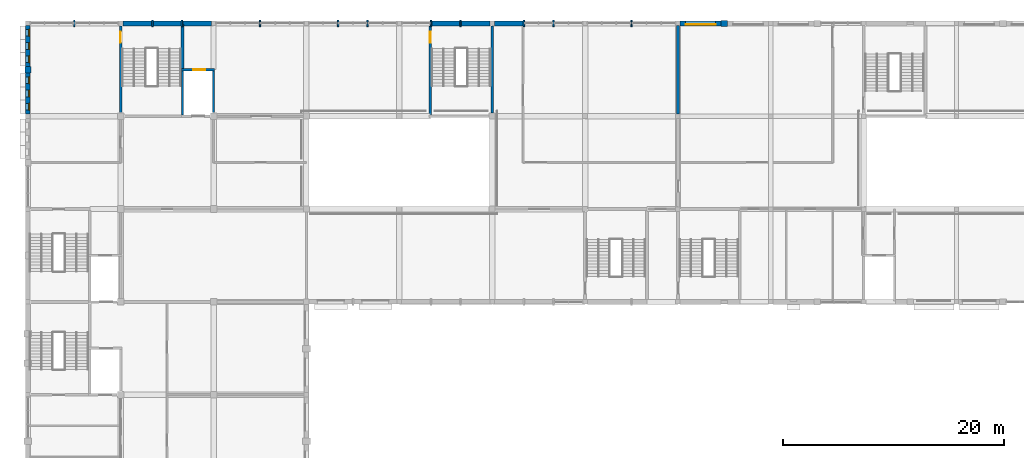
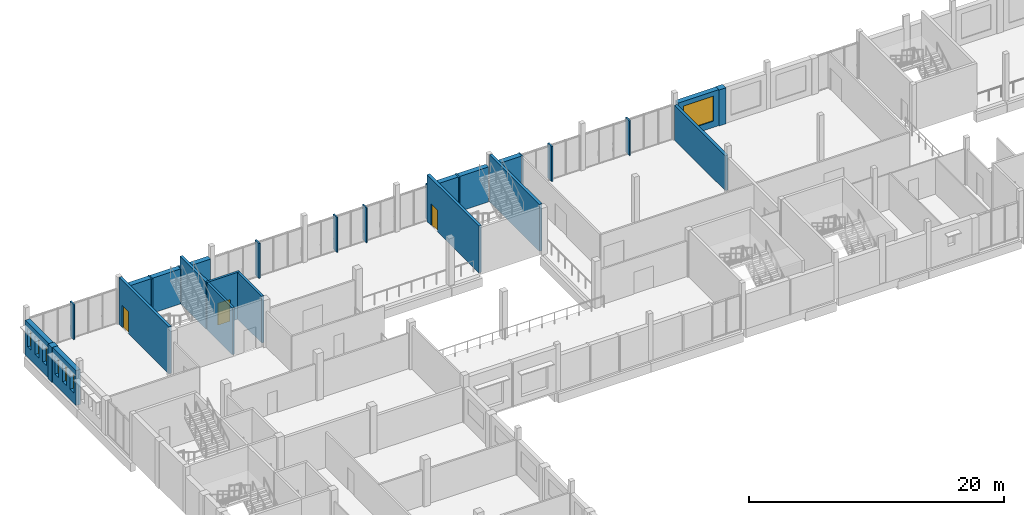
# One storey, part 104 of 116: 30 walls, 7 windows, 3 doors, 10 openings.
"""IFC4 building model written with IfcOpenShell, lengths in metres."""

from ifc_helpers import new_model, si_unit, direction, frame, frame_2d, origin, place, context, subcontext, project, spatial, rectangle, extrude, material, layer, layer_set, type_object, element, fill, save


model = new_model("IFC4")

# Units and contexts
model_context = context("Model", 3, precision=1e-05, world=origin(), true_north=direction((0.0, 1.0)))
body_context = subcontext(model_context, "Body", "Model", "MODEL_VIEW")
ifc_project = project(units=[si_unit("LENGTHUNIT", "METRE"), si_unit("AREAUNIT", "SQUARE_METRE"), si_unit("VOLUMEUNIT", "CUBIC_METRE"), si_unit("PLANEANGLEUNIT", "RADIAN"), si_unit("MASSUNIT", "GRAM", prefix="KILO")], contexts=[model_context])

# Site, building, storey
site_placement = place(None, origin())
site = spatial("IfcSite", under=ifc_project, at=site_placement, CompositionType="ELEMENT")
building_placement = place(site_placement, origin())
building = spatial("IfcBuilding", under=site, at=building_placement, Name="Fescue Hill Polytechnic", CompositionType="ELEMENT")
storey_placement = place(building_placement, frame((0.0, 0.0, 13.5)))
storey = spatial("IfcBuildingStorey", under=building, at=storey_placement, Name="L03", CompositionType="ELEMENT", Elevation=13.5)

# Walls
ifc_material_1 = material(Name="Clay brick masonry", Category="masonry")
ifc_layer_1 = layer(ifc_material_1, 0.550048828125)
ifc_layer_set_1 = layer_set([ifc_layer_1], Name="Clay brick masonry")
wall_type_1 = type_object("IfcWallType", Name="Brick pier 600x550", PredefinedType="SOLIDWALL", material=ifc_layer_set_1)
wall_1_placement = place(storey_placement, frame((0.0, 130.5, 0.0), z_axis=(0.0, 0.0, 1.0), x_axis=(0.0, -1.0, 0.0)))
element("IfcWall", 1, at=wall_1_placement, inside=storey, type_object=wall_type_1, Name="PR-L03-V5-18", PredefinedType="SOLIDWALL", context=body_context, shape_type="SweptSolid", body=[
    extrude(rectangle(XDim=0.60009765625, YDim=0.550048828125, at=frame_2d((0.300048828125, 0.0))), origin(), (0.0, 0.0, 1.0), 3.35009765625),
])
wall_2_placement = place(storey_placement, frame((63.300048828125, 134.39990234375, 0.0), z_axis=(0.0, 0.0, 1.0), x_axis=(-1.0, 0.0, 0.0)))
element("IfcWall", 2, at=wall_2_placement, inside=storey, type_object=wall_type_1, Name="PR-L03-V4b-17", PredefinedType="SOLIDWALL", context=body_context, shape_type="SweptSolid", body=[
    extrude(rectangle(XDim=0.60009765625, YDim=0.550048828125, at=frame_2d((0.300048828125, 0.0))), origin(), (0.0, 0.0, 1.0), 3.449951171875),
])

# Wall, opening, door
ifc_material_2 = material(Name="Concrete 40 MPa", Category="concrete")
ifc_layer_2 = layer(ifc_material_2, 0.25)
ifc_layer_set_2 = layer_set([ifc_layer_2], Name="Concrete 40 MPa")
wall_type_2 = type_object("IfcWallType", Name="Core wall 250", PredefinedType="SHEAR", material=ifc_layer_set_2)
wall_3_placement = place(storey_placement, frame((36.39990234375, 126.125, 0.0), z_axis=(0.0, 0.0, 1.0), x_axis=(0.0, 1.0, 0.0)))
wall_3 = element("IfcWall", 3, at=wall_3_placement, inside=storey, type_object=wall_type_2, Name="CW-L03-ST-V5-2-31", PredefinedType="SHEAR", context=body_context, shape_type="SweptSolid", body=[
    extrude(rectangle(XDim=8.14990234375, YDim=0.25, at=frame_2d((4.074951171875, 0.0))), origin(), (0.0, 0.0, 1.0), 4.5),
])
opening_1_placement = place(wall_3_placement, frame((6.52490234375, 0.0, 0.0)))
opening_1 = element("IfcOpeningElement", 4, at=opening_1_placement, cuts=wall_3, Name="Opening D3042", PredefinedType="OPENING", context=body_context, shape_type="SweptSolid", body=[
    extrude(rectangle(XDim=1.0, YDim=2.10009765625, at=frame_2d((0.5, 1.050048828125))), frame((0.0, 0.135009765625, 0.0), z_axis=(0.0, -1.0, 0.0), x_axis=(1.0, 0.0, 0.0)), (0.0, 0.0, 1.0), 0.27001953125),
])
ifc_material_3 = material(Name="Steel fire door", Category="steel")
door_type_1 = type_object("IfcDoorType", Name="Door single swing 1000x2100 stair fire rated", OperationType="NOTDEFINED", PredefinedType="DOOR", material=ifc_material_3)
door_1_placement = place(opening_1_placement, origin())
door_1 = element("IfcDoor", 5, at=door_1_placement, inside=storey, type_object=door_type_1, Name="L03 ST-V5-2 stair door", OperationType="SINGLE_SWING_RIGHT", OverallHeight=2.10009765625, OverallWidth=1.0, PredefinedType="DOOR", context=body_context, shape_type="SweptSolid", body=[
    extrude(rectangle(XDim=1.0, YDim=2.10009765625, at=frame_2d((0.5, 1.050048828125))), frame((0.0, 0.02490234375, 0.0), z_axis=(0.0, -1.0, 0.0), x_axis=(1.0, 0.0, 0.0)), (0.0, 0.0, 1.0), 0.050048828125),
])
fill(opening_1, door_1)

# Wall
wall_4_placement = place(storey_placement, frame((42.0, 126.300048828125, 0.0), z_axis=(0.0, 0.0, 1.0), x_axis=(0.0, 1.0, 0.0)))
element("IfcWall", 6, at=wall_4_placement, inside=storey, type_object=wall_type_2, Name="CW-L03-ST-V5-2-41", PredefinedType="SHEAR", context=body_context, shape_type="SweptSolid", body=[
    extrude(rectangle(XDim=7.875, YDim=0.25, at=frame_2d((3.9375, 0.0))), origin(), (0.0, 0.0, 1.0), 4.5),
])

# Wall, opening, door
wall_5_placement = place(storey_placement, frame((8.39990234375, 126.324951171875, 0.0), z_axis=(0.0, 0.0, 1.0), x_axis=(0.0, 1.0, 0.0)))
wall_5 = element("IfcWall", 7, at=wall_5_placement, inside=storey, type_object=wall_type_2, Name="CW-L03-ST-V5-3-31", PredefinedType="SHEAR", context=body_context, shape_type="SweptSolid", body=[
    extrude(rectangle(XDim=7.85009765625, YDim=0.25, at=frame_2d((3.925048828125, 0.0))), origin(), (0.0, 0.0, 1.0), 4.5),
])
opening_2_placement = place(wall_5_placement, frame((6.324951171875, 0.0, 0.0)))
opening_2 = element("IfcOpeningElement", 8, at=opening_2_placement, cuts=wall_5, Name="Opening D3043", PredefinedType="OPENING", context=body_context, shape_type="SweptSolid", body=[
    extrude(rectangle(XDim=1.0, YDim=2.10009765625, at=frame_2d((0.5, 1.050048828125))), frame((0.0, 0.135009765625, 0.0), z_axis=(0.0, -1.0, 0.0), x_axis=(1.0, 0.0, 0.0)), (0.0, 0.0, 1.0), 0.27001953125),
])
door_2_placement = place(opening_2_placement, origin())
door_2 = element("IfcDoor", 9, at=door_2_placement, inside=storey, type_object=door_type_1, Name="L03 ST-V5-3 stair door", OperationType="SINGLE_SWING_LEFT", OverallHeight=2.10009765625, OverallWidth=1.0, PredefinedType="DOOR", context=body_context, shape_type="SweptSolid", body=[
    extrude(rectangle(XDim=1.0, YDim=2.10009765625, at=frame_2d((0.5, 1.050048828125))), frame((0.0, 0.02490234375, 0.0), z_axis=(0.0, -1.0, 0.0), x_axis=(1.0, 0.0, 0.0)), (0.0, 0.0, 1.0), 0.050048828125),
])
fill(opening_2, door_2)

# Walls
wall_6_placement = place(storey_placement, frame((14.0, 130.2099609375, 0.0), z_axis=(0.0, 0.0, 1.0), x_axis=(0.0, 1.0, 0.0)))
element("IfcWall", 10, at=wall_6_placement, inside=storey, type_object=wall_type_2, Name="CW-L03-ST-V5-3-41", PredefinedType="SHEAR", context=body_context, shape_type="SweptSolid", body=[
    extrude(rectangle(XDim=4.06494140625, YDim=0.25, at=frame_2d((2.032470703125, 0.0))), origin(), (0.0, 0.0, 1.0), 4.5),
])
ifc_layer_3 = layer(ifc_material_2, 0.449951171875)
ifc_layer_set_3 = layer_set([ifc_layer_3], Name="Concrete 40 MPa")
wall_type_3 = type_object("IfcWallType", Name="Exterior wall board-marked concrete 450", PredefinedType="SOLIDWALL", material=ifc_layer_set_3)
for number, where, z_axis, x_axis, name in (
    (11, (44.806640625, 134.39990234375, 0.0), (0.0, 0.0, 1.0), (-1.0, 0.0, 0.0), "EW-L03-V5-11"),
    (12, (16.60009765625, 134.39990234375, 0.0), (0.0, 0.0, 1.0), (-1.0, 0.0, 0.0), "EW-L03-V5-15"),
):
    element("IfcWall", number, at=place(storey_placement, frame(where, z_axis=z_axis, x_axis=x_axis)), inside=storey, type_object=wall_type_3, Name=name, PredefinedType="SOLIDWALL", context=body_context, shape_type="SweptSolid", body=[
        extrude(rectangle(XDim=2.606689453125, YDim=0.449951171875, at=frame_2d((1.30322265625, 0.0))), origin(), (0.0, 0.0, 1.0), 3.35009765625),
    ])

# Wall, opening, window
wall_7_placement = place(storey_placement, frame((62.699951171875, 134.39990234375, 0.0), z_axis=(0.0, 0.0, 1.0), x_axis=(-1.0, 0.0, 0.0)))
wall_7 = element("IfcWall", 13, at=wall_7_placement, inside=storey, type_object=wall_type_3, Name="EW-L03-V4b-34", PredefinedType="SOLIDWALL", context=body_context, shape_type="SweptSolid", body=[
    extrude(rectangle(XDim=3.699951171875, YDim=0.449951171875, at=frame_2d((1.85009765625, 0.0))), origin(), (0.0, 0.0, 1.0), 3.449951171875),
])
opening_3_placement = place(wall_7_placement, frame((0.5, 0.0, 0.60009765625)))
opening_3 = element("IfcOpeningElement", 14, at=opening_3_placement, cuts=wall_7, Name="Opening W16R", PredefinedType="OPENING", context=body_context, shape_type="SweptSolid", body=[
    extrude(rectangle(XDim=2.699951171875, YDim=2.39990234375, at=frame_2d((1.35009765625, 1.199951171875))), frame((0.0, 0.23486328125, 0.0), z_axis=(0.0, -1.0, 0.0), x_axis=(1.0, 0.0, 0.0)), (0.0, 0.0, 1.0), 0.469970703125),
])
ifc_material_4 = material(Name="Powder-coated aluminium and glass", Category="aluminium")
window_type_1 = type_object("IfcWindowType", Name="Window studio north-light 2700x2400", PartitioningType="TRIPLE_PANEL_VERTICAL", PredefinedType="WINDOW", material=ifc_material_4)
window_1_placement = place(opening_3_placement, origin())
window_1 = element("IfcWindow", 15, at=window_1_placement, inside=storey, type_object=window_type_1, Name="WN-L03-V4b-33", OverallHeight=2.39990234375, OverallWidth=2.699951171875, PartitioningType="SINGLE_PANEL", PredefinedType="WINDOW", context=body_context, shape_type="SweptSolid", body=[
    extrude(rectangle(XDim=2.699951171875, YDim=2.39990234375, at=frame_2d((1.35009765625, 1.199951171875))), frame((0.0, 0.135009765625, 0.0), z_axis=(0.0, -1.0, 0.0), x_axis=(1.0, 0.0, 0.0)), (0.0, 0.0, 1.0), 0.06005859375),
])
fill(opening_3, window_1)

# Walls
ifc_layer_4 = layer(ifc_material_2, 0.449951171875)
ifc_layer_set_4 = layer_set([ifc_layer_4], Name="Concrete 40 MPa")
wall_type_4 = type_object("IfcWallType", Name="Exterior wall board-marked concrete 450 load-bearing", PredefinedType="SOLIDWALL", material=ifc_layer_set_4)
wall_8_placement = place(storey_placement, frame((41.800048828125, 134.39990234375, 0.0), z_axis=(0.0, 0.0, 1.0), x_axis=(-1.0, 0.0, 0.0)))
element("IfcWall", 16, at=wall_8_placement, inside=storey, type_object=wall_type_4, Name="EW-L03-V5-12", PredefinedType="SOLIDWALL", context=body_context, shape_type="SweptSolid", body=[
    extrude(rectangle(XDim=2.606689453125, YDim=0.449951171875, at=frame_2d((1.30322265625, 0.0))), origin(), (0.0, 0.0, 1.0), 3.35009765625),
])
for number, where, z_axis, x_axis, name in (
    (17, (39.0732421875, 134.39990234375, 0.0), (0.0, 0.0, 1.0), (-1.0, 0.0, 0.0), "EW-L03-V5-13"),
    (18, (13.873291015625, 134.39990234375, 0.0), (0.0, 0.0, 1.0), (-1.0, 0.0, 0.0), "EW-L03-V5-16"),
):
    element("IfcWall", number, at=place(storey_placement, frame(where, z_axis=z_axis, x_axis=x_axis)), inside=storey, type_object=wall_type_4, Name=name, PredefinedType="SOLIDWALL", context=body_context, shape_type="SweptSolid", body=[
        extrude(rectangle(XDim=2.546630859375, YDim=0.449951171875, at=frame_2d((1.2734375, 0.0))), origin(), (0.0, 0.0, 1.0), 3.35009765625),
    ])
wall_9_placement = place(storey_placement, frame((11.206787109375, 134.39990234375, 0.0), z_axis=(0.0, 0.0, 1.0), x_axis=(-1.0, 0.0, 0.0)))
element("IfcWall", 19, at=wall_9_placement, inside=storey, type_object=wall_type_4, Name="EW-L03-V5-17", PredefinedType="SOLIDWALL", context=body_context, shape_type="SweptSolid", body=[
    extrude(rectangle(XDim=2.606689453125, YDim=0.449951171875, at=frame_2d((1.30322265625, 0.0))), origin(), (0.0, 0.0, 1.0), 3.35009765625),
])

# Wall, openings, windows
ifc_layer_5 = layer(ifc_material_1, 0.419921875)
ifc_layer_set_5 = layer_set([ifc_layer_5], Name="Clay brick masonry")
wall_type_5 = type_object("IfcWallType", Name="Exterior wall buff-red brick cavity 420", PredefinedType="SOLIDWALL", material=ifc_layer_set_5)
wall_10_placement = place(storey_placement, frame((0.0, 134.199951171875, 0.0), z_axis=(0.0, 0.0, 1.0), x_axis=(0.0, -1.0, 0.0)))
wall_10 = element("IfcWall", 20, at=wall_10_placement, inside=storey, type_object=wall_type_5, Name="EW-L03-V5-19", PredefinedType="SOLIDWALL", context=body_context, shape_type="SweptSolid", body=[
    extrude(rectangle(XDim=3.699951171875, YDim=0.419921875, at=frame_2d((1.85009765625, 0.0))), origin(), (0.0, 0.0, 1.0), 3.35009765625),
])
opening_4_placement = place(wall_10_placement, frame((0.35009765625, 0.0, 1.0)))
opening_4 = element("IfcOpeningElement", 21, at=opening_4_placement, cuts=wall_10, Name="Opening W6R", PredefinedType="OPENING", context=body_context, shape_type="SweptSolid", body=[
    extrude(rectangle(XDim=0.60009765625, YDim=1.800048828125, at=frame_2d((0.300048828125, 0.89990234375))), frame((0.0, 0.219970703125, 0.0), z_axis=(0.0, -1.0, 0.0), x_axis=(1.0, 0.0, 0.0)), (0.0, 0.0, 1.0), 0.43994140625),
])
opening_5_placement = place(wall_10_placement, frame((1.550048828125, 0.0, 1.0)))
opening_5 = element("IfcOpeningElement", 22, at=opening_5_placement, cuts=wall_10, Name="Opening W6R", PredefinedType="OPENING", context=body_context, shape_type="SweptSolid", body=[
    extrude(rectangle(XDim=0.60009765625, YDim=1.800048828125, at=frame_2d((0.300048828125, 0.89990234375))), frame((0.0, 0.219970703125, 0.0), z_axis=(0.0, -1.0, 0.0), x_axis=(1.0, 0.0, 0.0)), (0.0, 0.0, 1.0), 0.43994140625),
])
opening_6_placement = place(wall_10_placement, frame((2.75, 0.0, 1.0)))
opening_6 = element("IfcOpeningElement", 23, at=opening_6_placement, cuts=wall_10, Name="Opening W6R", PredefinedType="OPENING", context=body_context, shape_type="SweptSolid", body=[
    extrude(rectangle(XDim=0.60009765625, YDim=1.800048828125, at=frame_2d((0.300048828125, 0.89990234375))), frame((0.0, 0.219970703125, 0.0), z_axis=(0.0, -1.0, 0.0), x_axis=(1.0, 0.0, 0.0)), (0.0, 0.0, 1.0), 0.43994140625),
])
window_type_2 = type_object("IfcWindowType", Name="Window slot 600x1800", PartitioningType="SINGLE_PANEL", PredefinedType="WINDOW", material=ifc_material_4)
window_2_placement = place(opening_4_placement, origin())
window_2 = element("IfcWindow", 24, at=window_2_placement, inside=storey, type_object=window_type_2, Name="WN-L03-V5-3", OverallHeight=1.800048828125, OverallWidth=0.60009765625, PartitioningType="SINGLE_PANEL", PredefinedType="WINDOW", context=body_context, shape_type="SweptSolid", body=[
    extrude(rectangle(XDim=0.60009765625, YDim=1.800048828125, at=frame_2d((0.300048828125, 0.89990234375))), frame((0.0, 0.150146484375, 0.0), z_axis=(0.0, -1.0, 0.0), x_axis=(1.0, 0.0, 0.0)), (0.0, 0.0, 1.0), 0.06005859375),
])
fill(opening_4, window_2)
window_3_placement = place(opening_5_placement, origin())
window_3 = element("IfcWindow", 25, at=window_3_placement, inside=storey, type_object=window_type_2, Name="WN-L03-V5-4", OverallHeight=1.800048828125, OverallWidth=0.60009765625, PartitioningType="SINGLE_PANEL", PredefinedType="WINDOW", context=body_context, shape_type="SweptSolid", body=[
    extrude(rectangle(XDim=0.60009765625, YDim=1.800048828125, at=frame_2d((0.300048828125, 0.89990234375))), frame((0.0, 0.150146484375, 0.0), z_axis=(0.0, -1.0, 0.0), x_axis=(1.0, 0.0, 0.0)), (0.0, 0.0, 1.0), 0.06005859375),
])
fill(opening_5, window_3)
window_4_placement = place(opening_6_placement, origin())
window_4 = element("IfcWindow", 26, at=window_4_placement, inside=storey, type_object=window_type_2, Name="WN-L03-V5-5", OverallHeight=1.800048828125, OverallWidth=0.60009765625, PartitioningType="SINGLE_PANEL", PredefinedType="WINDOW", context=body_context, shape_type="SweptSolid", body=[
    extrude(rectangle(XDim=0.60009765625, YDim=1.800048828125, at=frame_2d((0.300048828125, 0.89990234375))), frame((0.0, 0.150146484375, 0.0), z_axis=(0.0, -1.0, 0.0), x_axis=(1.0, 0.0, 0.0)), (0.0, 0.0, 1.0), 0.06005859375),
])
fill(opening_6, window_4)

wall_11_placement = place(storey_placement, frame((0.0, 129.89990234375, 0.0), z_axis=(0.0, 0.0, 1.0), x_axis=(0.0, -1.0, 0.0)))
wall_11 = element("IfcWall", 27, at=wall_11_placement, inside=storey, type_object=wall_type_5, Name="EW-L03-V5-20", PredefinedType="SOLIDWALL", context=body_context, shape_type="SweptSolid", body=[
    extrude(rectangle(XDim=3.699951171875, YDim=0.419921875, at=frame_2d((1.85009765625, 0.0))), origin(), (0.0, 0.0, 1.0), 3.35009765625),
])
opening_7_placement = place(wall_11_placement, frame((0.35009765625, 0.0, 1.0)))
opening_7 = element("IfcOpeningElement", 28, at=opening_7_placement, cuts=wall_11, Name="Opening W6R", PredefinedType="OPENING", context=body_context, shape_type="SweptSolid", body=[
    extrude(rectangle(XDim=0.60009765625, YDim=1.800048828125, at=frame_2d((0.300048828125, 0.89990234375))), frame((0.0, 0.219970703125, 0.0), z_axis=(0.0, -1.0, 0.0), x_axis=(1.0, 0.0, 0.0)), (0.0, 0.0, 1.0), 0.43994140625),
])
opening_8_placement = place(wall_11_placement, frame((1.550048828125, 0.0, 1.0)))
opening_8 = element("IfcOpeningElement", 29, at=opening_8_placement, cuts=wall_11, Name="Opening W6R", PredefinedType="OPENING", context=body_context, shape_type="SweptSolid", body=[
    extrude(rectangle(XDim=0.60009765625, YDim=1.800048828125, at=frame_2d((0.300048828125, 0.89990234375))), frame((0.0, 0.219970703125, 0.0), z_axis=(0.0, -1.0, 0.0), x_axis=(1.0, 0.0, 0.0)), (0.0, 0.0, 1.0), 0.43994140625),
])
opening_9_placement = place(wall_11_placement, frame((2.75, 0.0, 1.0)))
opening_9 = element("IfcOpeningElement", 30, at=opening_9_placement, cuts=wall_11, Name="Opening W6R", PredefinedType="OPENING", context=body_context, shape_type="SweptSolid", body=[
    extrude(rectangle(XDim=0.60009765625, YDim=1.800048828125, at=frame_2d((0.300048828125, 0.89990234375))), frame((0.0, 0.219970703125, 0.0), z_axis=(0.0, -1.0, 0.0), x_axis=(1.0, 0.0, 0.0)), (0.0, 0.0, 1.0), 0.43994140625),
])
window_5_placement = place(opening_7_placement, origin())
window_5 = element("IfcWindow", 31, at=window_5_placement, inside=storey, type_object=window_type_2, Name="WN-L03-V5-6", OverallHeight=1.800048828125, OverallWidth=0.60009765625, PartitioningType="SINGLE_PANEL", PredefinedType="WINDOW", context=body_context, shape_type="SweptSolid", body=[
    extrude(rectangle(XDim=0.60009765625, YDim=1.800048828125, at=frame_2d((0.300048828125, 0.89990234375))), frame((0.0, 0.150146484375, 0.0), z_axis=(0.0, -1.0, 0.0), x_axis=(1.0, 0.0, 0.0)), (0.0, 0.0, 1.0), 0.06005859375),
])
fill(opening_7, window_5)
window_6_placement = place(opening_8_placement, origin())
window_6 = element("IfcWindow", 32, at=window_6_placement, inside=storey, type_object=window_type_2, Name="WN-L03-V5-7", OverallHeight=1.800048828125, OverallWidth=0.60009765625, PartitioningType="SINGLE_PANEL", PredefinedType="WINDOW", context=body_context, shape_type="SweptSolid", body=[
    extrude(rectangle(XDim=0.60009765625, YDim=1.800048828125, at=frame_2d((0.300048828125, 0.89990234375))), frame((0.0, 0.150146484375, 0.0), z_axis=(0.0, -1.0, 0.0), x_axis=(1.0, 0.0, 0.0)), (0.0, 0.0, 1.0), 0.06005859375),
])
fill(opening_8, window_6)
window_7_placement = place(opening_9_placement, origin())
window_7 = element("IfcWindow", 33, at=window_7_placement, inside=storey, type_object=window_type_2, Name="WN-L03-V5-8", OverallHeight=1.800048828125, OverallWidth=0.60009765625, PartitioningType="SINGLE_PANEL", PredefinedType="WINDOW", context=body_context, shape_type="SweptSolid", body=[
    extrude(rectangle(XDim=0.60009765625, YDim=1.800048828125, at=frame_2d((0.300048828125, 0.89990234375))), frame((0.0, 0.150146484375, 0.0), z_axis=(0.0, -1.0, 0.0), x_axis=(1.0, 0.0, 0.0)), (0.0, 0.0, 1.0), 0.06005859375),
])
fill(opening_9, window_7)

# Wall, opening, door
ifc_layer_6 = layer(ifc_material_2, 0.199951171875)
ifc_layer_set_6 = layer_set([ifc_layer_6], Name="Concrete 40 MPa")
wall_type_6 = type_object("IfcWallType", Name="Lift shaft wall 200", PredefinedType="SHEAR", material=ifc_layer_set_6)
wall_12_placement = place(storey_placement, frame((13.89990234375, 130.199951171875, 0.0), z_axis=(0.0, 0.0, 1.0), x_axis=(1.0, 0.0, 0.0)))
wall_12 = element("IfcWall", 34, at=wall_12_placement, inside=storey, type_object=wall_type_6, Name="CW-L03-LF-V5-2-21", PredefinedType="SHEAR", context=body_context, shape_type="SweptSolid", body=[
    extrude(rectangle(XDim=3.0, YDim=0.199951171875, at=frame_2d((1.5, 0.0))), origin(), (0.0, 0.0, 1.0), 4.5),
])
opening_10_placement = place(wall_12_placement, frame((1.050048828125, 0.0, 0.0)))
opening_10 = element("IfcOpeningElement", 35, at=opening_10_placement, cuts=wall_12, Name="Opening LD7-L03N", PredefinedType="OPENING", context=body_context, shape_type="SweptSolid", body=[
    extrude(rectangle(XDim=1.10009765625, YDim=2.10009765625, at=frame_2d((0.550048828125, 1.050048828125))), frame((0.0, 0.10986328125, 0.0), z_axis=(0.0, -1.0, 0.0), x_axis=(1.0, 0.0, 0.0)), (0.0, 0.0, 1.0), 0.219970703125),
])
ifc_material_5 = material(Name="Stainless steel", Category="steel")
door_type_2 = type_object("IfcDoorType", Name="Lift landing door sliding 1100x2100", OperationType="SLIDING_TO_LEFT", PredefinedType="DOOR", material=ifc_material_5)
door_3_placement = place(opening_10_placement, origin())
door_3 = element("IfcDoor", 36, at=door_3_placement, inside=storey, type_object=door_type_2, Name="L03 LF-V5-2 lift landing door", OperationType="SLIDING_TO_LEFT", OverallHeight=2.10009765625, OverallWidth=1.10009765625, PredefinedType="DOOR", context=body_context, shape_type="SweptSolid", body=[
    extrude(rectangle(XDim=1.10009765625, YDim=2.10009765625, at=frame_2d((0.550048828125, 1.050048828125))), frame((0.0, 0.02490234375, 0.0), z_axis=(0.0, -1.0, 0.0), x_axis=(1.0, 0.0, 0.0)), (0.0, 0.0, 1.0), 0.050048828125),
])
fill(opening_10, door_3)

# Walls
wall_13_placement = place(storey_placement, frame((14.0, 126.10009765625, 0.0), z_axis=(0.0, 0.0, 1.0), x_axis=(0.0, 1.0, 0.0)))
element("IfcWall", 37, at=wall_13_placement, inside=storey, type_object=wall_type_6, Name="CW-L03-LF-V5-2-31", PredefinedType="SHEAR", context=body_context, shape_type="SweptSolid", body=[
    extrude(rectangle(XDim=4.0, YDim=0.199951171875, at=frame_2d((2.0, 0.0))), origin(), (0.0, 0.0, 1.0), 4.5),
])
wall_14_placement = place(storey_placement, frame((16.800048828125, 126.324951171875, 0.0), z_axis=(0.0, 0.0, 1.0), x_axis=(0.0, 1.0, 0.0)))
element("IfcWall", 38, at=wall_14_placement, inside=storey, type_object=wall_type_6, Name="CW-L03-LF-V5-2-41", PredefinedType="SHEAR", context=body_context, shape_type="SweptSolid", body=[
    extrude(rectangle(XDim=3.775146484375, YDim=0.199951171875, at=frame_2d((1.8876953125, 0.0))), origin(), (0.0, 0.0, 1.0), 4.5),
])
ifc_material_6 = material(Name="Concrete 35 MPa", Category="concrete")
ifc_layer_7 = layer(ifc_material_6, 0.25)
ifc_layer_set_7 = layer_set([ifc_layer_7], Name="Concrete 35 MPa")
wall_type_7 = type_object("IfcWallType", Name="Party wall 250 concrete EI 120", PredefinedType="SOLIDWALL", material=ifc_layer_set_7)
wall_15_placement = place(storey_placement, frame((58.800048828125, 126.199951171875, 0.0), z_axis=(0.0, 0.0, 1.0), x_axis=(0.0, 1.0, 0.0)))
element("IfcWall", 39, at=wall_15_placement, inside=storey, type_object=wall_type_7, Name="IW-L03-053", PredefinedType="SOLIDWALL", context=body_context, shape_type="SweptSolid", body=[
    extrude(rectangle(XDim=8.0, YDim=0.25, at=frame_2d((4.0, 0.0))), origin(), (0.0, 0.0, 1.0), 3.35009765625),
])
ifc_material_7 = material(Name="Glulam 24f-EX", Category="wood")
ifc_layer_8 = layer(ifc_material_7, 0.60009765625)
ifc_layer_set_8 = layer_set([ifc_layer_8], Name="Glulam 24f-EX")
wall_type_8 = type_object("IfcWallType", Name="Timber fin 120x600", PredefinedType="SOLIDWALL", material=ifc_layer_set_8)
for number, where, z_axis, x_axis, name in (
    (40, (54.659912109375, 134.39990234375, 0.0), (0.0, 0.0, 1.0), (-1.0, 0.0, 0.0), "PR-L03-V5-7"),
    (41, (47.59326171875, 134.39990234375, 0.0), (0.0, 0.0, 1.0), (-1.0, 0.0, 0.0), "PR-L03-V5-8"),
):
    element("IfcWall", number, at=place(storey_placement, frame(where, z_axis=z_axis, x_axis=x_axis)), inside=storey, type_object=wall_type_8, Name=name, PredefinedType="SOLIDWALL", context=body_context, shape_type="SweptSolid", body=[
        extrude(rectangle(XDim=0.119873046875, YDim=0.60009765625, at=frame_2d((0.06005859375, 0.0))), origin(), (0.0, 0.0, 1.0), 3.35009765625),
    ])
for number, where, z_axis, x_axis, name in (
    (42, (44.9267578125, 134.39990234375, 0.0), (0.0, 0.0, 1.0), (-1.0, 0.0, 0.0), "PR-L03-V5-9"),
    (43, (39.193359375, 134.39990234375, 0.0), (0.0, 0.0, 1.0), (-1.0, 0.0, 0.0), "PR-L03-V5-10"),
):
    element("IfcWall", number, at=place(storey_placement, frame(where, z_axis=z_axis, x_axis=x_axis)), inside=storey, type_object=wall_type_8, Name=name, PredefinedType="SOLIDWALL", context=body_context, shape_type="SweptSolid", body=[
        extrude(rectangle(XDim=0.1201171875, YDim=0.60009765625, at=frame_2d((0.06005859375, 0.0))), origin(), (0.0, 0.0, 1.0), 3.35009765625),
    ])
for number, where, z_axis, x_axis, name in (
    (44, (36.526611328125, 134.39990234375, 0.0), (0.0, 0.0, 1.0), (-1.0, 0.0, 0.0), "PR-L03-V5-11"),
    (45, (30.793212890625, 134.39990234375, 0.0), (0.0, 0.0, 1.0), (-1.0, 0.0, 0.0), "PR-L03-V5-12"),
):
    element("IfcWall", number, at=place(storey_placement, frame(where, z_axis=z_axis, x_axis=x_axis)), inside=storey, type_object=wall_type_8, Name=name, PredefinedType="SOLIDWALL", context=body_context, shape_type="SweptSolid", body=[
        extrude(rectangle(XDim=0.119873046875, YDim=0.60009765625, at=frame_2d((0.06005859375, 0.0))), origin(), (0.0, 0.0, 1.0), 3.35009765625),
    ])
for number, where, z_axis, x_axis, name in (
    (46, (28.126708984375, 134.39990234375, 0.0), (0.0, 0.0, 1.0), (-1.0, 0.0, 0.0), "PR-L03-V5-13"),
    (47, (21.06005859375, 134.39990234375, 0.0), (0.0, 0.0, 1.0), (-1.0, 0.0, 0.0), "PR-L03-V5-14"),
    (48, (13.993408203125, 134.39990234375, 0.0), (0.0, 0.0, 1.0), (-1.0, 0.0, 0.0), "PR-L03-V5-15"),
):
    element("IfcWall", number, at=place(storey_placement, frame(where, z_axis=z_axis, x_axis=x_axis)), inside=storey, type_object=wall_type_8, Name=name, PredefinedType="SOLIDWALL", context=body_context, shape_type="SweptSolid", body=[
        extrude(rectangle(XDim=0.1201171875, YDim=0.60009765625, at=frame_2d((0.06005859375, 0.0))), origin(), (0.0, 0.0, 1.0), 3.35009765625),
    ])
wall_16_placement = place(storey_placement, frame((11.32666015625, 134.39990234375, 0.0), z_axis=(0.0, 0.0, 1.0), x_axis=(-1.0, 0.0, 0.0)))
element("IfcWall", 49, at=wall_16_placement, inside=storey, type_object=wall_type_8, Name="PR-L03-V5-16", PredefinedType="SOLIDWALL", context=body_context, shape_type="SweptSolid", body=[
    extrude(rectangle(XDim=0.119873046875, YDim=0.60009765625, at=frame_2d((0.06005859375, 0.0))), origin(), (0.0, 0.0, 1.0), 3.35009765625),
])
wall_17_placement = place(storey_placement, frame((4.260009765625, 134.39990234375, 0.0), z_axis=(0.0, 0.0, 1.0), x_axis=(-1.0, 0.0, 0.0)))
element("IfcWall", 50, at=wall_17_placement, inside=storey, type_object=wall_type_8, Name="PR-L03-V5-17", PredefinedType="SOLIDWALL", context=body_context, shape_type="SweptSolid", body=[
    extrude(rectangle(XDim=0.1201171875, YDim=0.60009765625, at=frame_2d((0.06005859375, 0.0))), origin(), (0.0, 0.0, 1.0), 3.35009765625),
])

save(model, "model.ifc")
